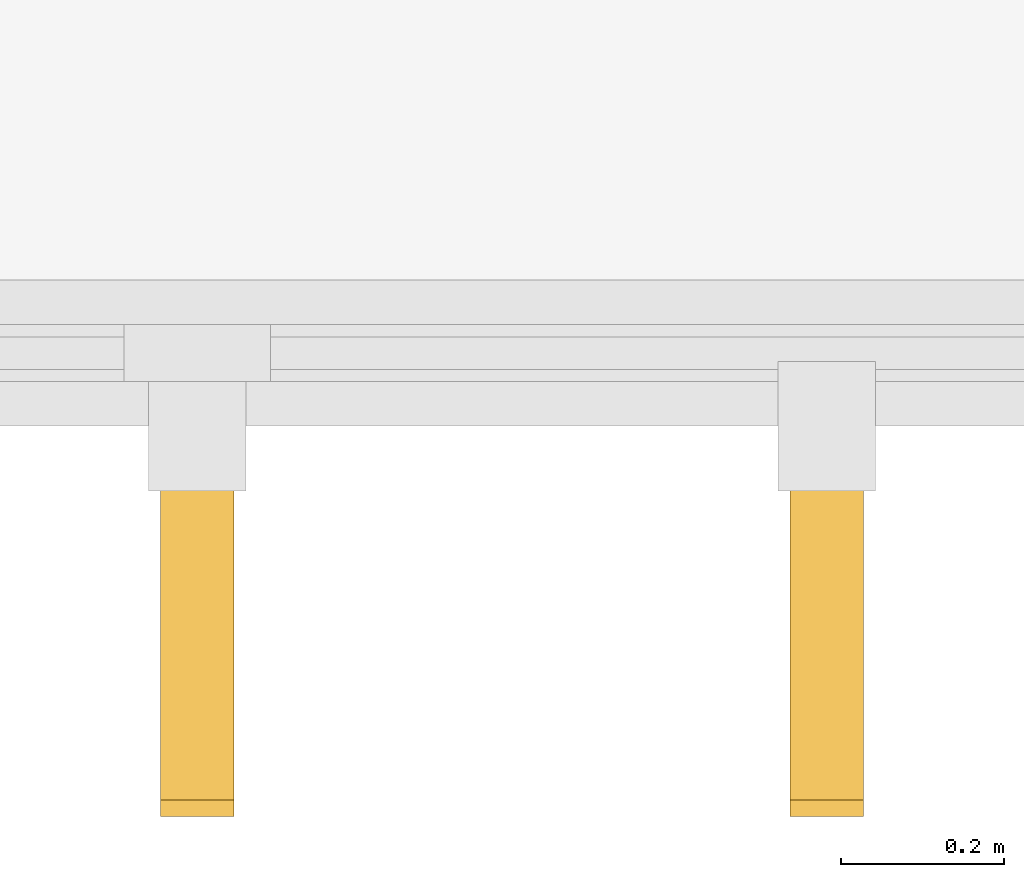
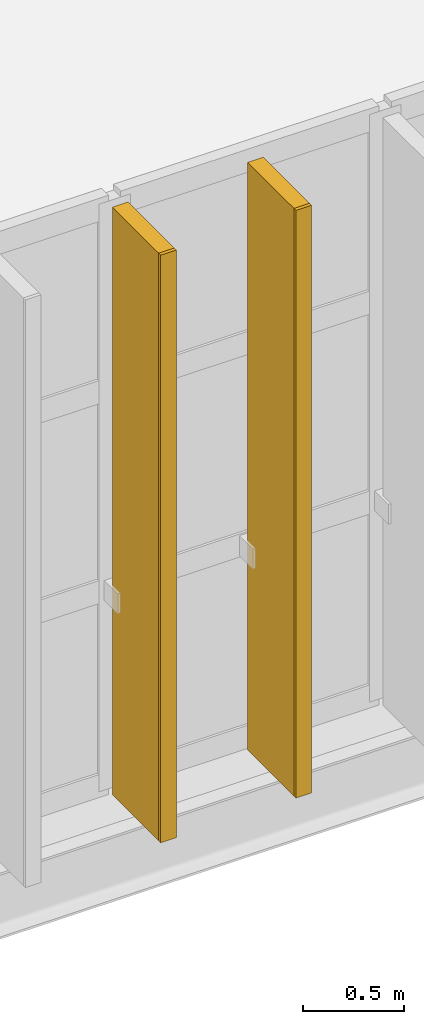
# One storey, part 42 of 52: 2 coverings, 2 shading devices.
"""IFC4 building model written with IfcOpenShell, lengths in metres."""

from ifc_helpers import new_model, si_unit, direction, frame, origin, origin_2d, place, context, subcontext, project, spatial, rectangle, extrude, material, layer, layer_set, type_object, element, save


model = new_model("IFC4")

# Units and contexts
model_context = context("Model", 3, precision=1e-05, world=origin(), true_north=direction((0.0, 1.0)))
body_context = subcontext(model_context, "Body", "Model", "MODEL_VIEW")
ifc_project = project(units=[si_unit("LENGTHUNIT", "METRE"), si_unit("AREAUNIT", "SQUARE_METRE"), si_unit("VOLUMEUNIT", "CUBIC_METRE"), si_unit("PLANEANGLEUNIT", "RADIAN"), si_unit("MASSUNIT", "GRAM", prefix="KILO")], contexts=[model_context])

# Site, building, storey
site_placement = place(None, origin())
site = spatial("IfcSite", under=ifc_project, at=site_placement, CompositionType="ELEMENT")
building_placement = place(site_placement, origin())
building = spatial("IfcBuilding", under=site, at=building_placement, Name="Zarnetskaya Central Station", CompositionType="ELEMENT")
storey_placement = place(building_placement, frame((0.0, 0.0, 14.39990234375)))
storey = spatial("IfcBuildingStorey", under=building, at=storey_placement, Name="L03", CompositionType="ELEMENT", Elevation=14.39990234375)

# Coverings
ifc_material_1 = material(Name="Treated larch timber", Category="wood")
ifc_layer = layer(ifc_material_1, 0.02001953125, Name="Treated larch timber", Category="wood")
ifc_layer_set = layer_set([ifc_layer], Name="Treated larch timber")
covering_type = type_object("IfcCoveringType", Name="COV-LARCH-CAP", PredefinedType="CLADDING", material=ifc_layer_set)
for number, where, z_axis, x_axis, name in (
    (1, (31.27490234375, -0.56005859375, 0.0), (0.0, 0.0, 1.0), (-1.0, 0.0, 0.0), "Larch fin weather cap CW-L03-043-09"),
    (2, (30.5, -0.56005859375, 0.0), (0.0, 0.0, 1.0), (-1.0, 0.0, 0.0), "Larch fin weather cap CW-L03-043-10"),
):
    element("IfcCovering", number, at=place(storey_placement, frame(where, z_axis=z_axis, x_axis=x_axis)), inside=storey, type_object=covering_type, Name=name, PredefinedType="CLADDING", context=body_context, shape_type="SweptSolid", body=[
        extrude(rectangle(XDim=0.090087890625, YDim=0.02001953125, at=origin_2d()), origin(), (0.0, 0.0, 1.0), 3.56005859375),
    ])

# Shading devices
ifc_material_2 = material(Name="Larch glulam GL28h", Category="wood")
shading_device_type = type_object("IfcShadingDeviceType", Name="SHD-LARCH-FIN-A", PredefinedType="USERDEFINED", material=ifc_material_2)
for number, where, z_axis, x_axis, name in (
    (3, (31.27490234375, -0.320068359375, 0.0), (0.0, 0.0, 1.0), (-1.0, 0.0, 0.0), "Vertical larch timber fin CW-L03-043-09"),
    (4, (30.5, -0.320068359375, 0.0), (0.0, 0.0, 1.0), (-1.0, 0.0, 0.0), "Vertical larch timber fin CW-L03-043-10"),
):
    element("IfcShadingDevice", number, at=place(storey_placement, frame(where, z_axis=z_axis, x_axis=x_axis)), inside=storey, type_object=shading_device_type, Name=name, ObjectType="TIMBER FIN", PredefinedType="USERDEFINED", context=body_context, shape_type="SweptSolid", body=[
        extrude(rectangle(XDim=0.090087890625, YDim=0.4599609375, at=origin_2d()), origin(), (0.0, 0.0, 1.0), 3.56005859375),
    ])

save(model, "model.ifc")
